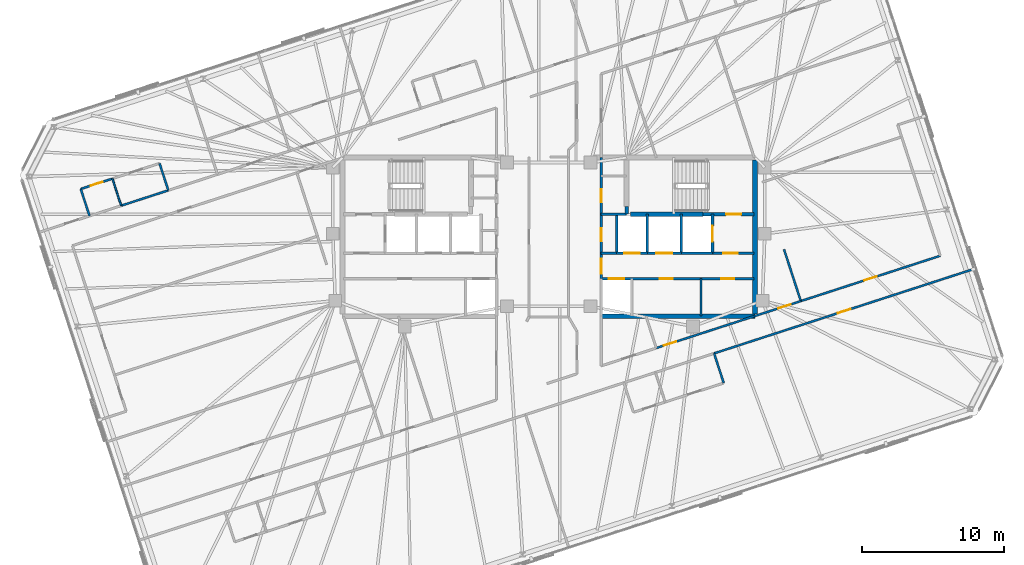
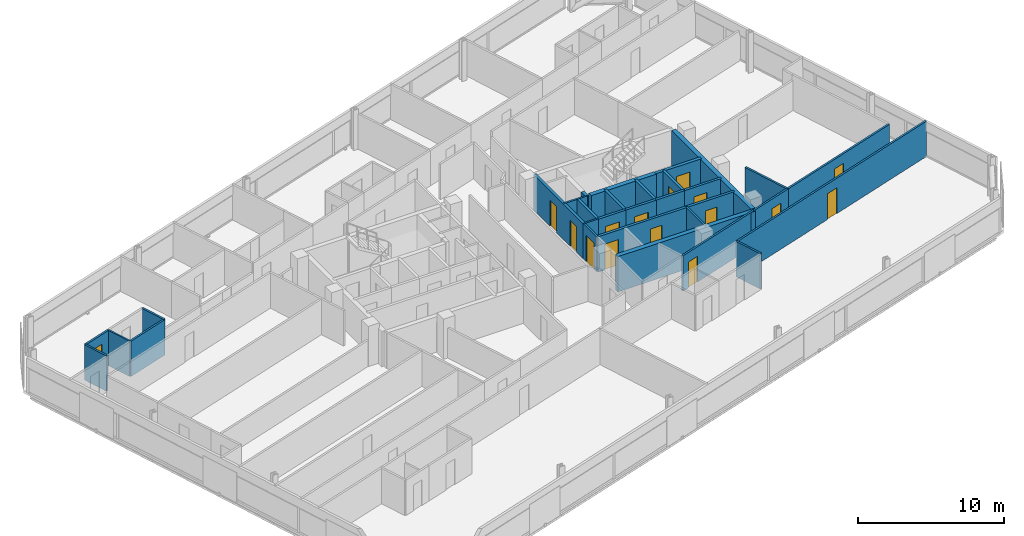
# One storey, part 15 of 19: 30 walls, 16 doors, 16 openings.
"""IFC4 building model written with IfcOpenShell, lengths in metres."""

from ifc_helpers import new_model, si_unit, direction, frame, frame_2d, origin, place, context, subcontext, project, spatial, rectangle, extrude, material, layer, layer_set, type_object, element, fill, save


model = new_model("IFC4")

# Units and contexts
model_context = context("Model", 3, precision=1e-05, world=origin(), true_north=direction((0.0, 1.0)))
body_context = subcontext(model_context, "Body", "Model", "MODEL_VIEW")
ifc_project = project(units=[si_unit("LENGTHUNIT", "METRE"), si_unit("AREAUNIT", "SQUARE_METRE"), si_unit("VOLUMEUNIT", "CUBIC_METRE"), si_unit("PLANEANGLEUNIT", "RADIAN"), si_unit("MASSUNIT", "GRAM", prefix="KILO")], contexts=[model_context])

# Site, building, storey
site_placement = place(None, origin())
site = spatial("IfcSite", under=ifc_project, at=site_placement, CompositionType="ELEMENT")
building_placement = place(site_placement, origin())
building = spatial("IfcBuilding", under=site, at=building_placement, Name="Menara Jurai Vektor", CompositionType="ELEMENT")
storey_placement = place(building_placement, frame((0.0, 0.0, 251.10009765625)))
storey = spatial("IfcBuildingStorey", under=building, at=storey_placement, Name="L67", CompositionType="ELEMENT", Elevation=251.10009765625)

# Wall, opening, door
ifc_material_1 = material(Name="Concrete C40/50", Category="concrete")
ifc_layer_1 = layer(ifc_material_1, 0.25)
ifc_layer_set_1 = layer_set([ifc_layer_1], Name="Concrete C40/50")
wall_type_1 = type_object("IfcWallType", Name="INT-WALL-CORE-250", PredefinedType="STANDARD", material=ifc_layer_set_1)
wall_1_placement = place(storey_placement, frame((10.89990234375, 1.60009765625, 0.0), z_axis=(0.0, 0.0, 1.0), x_axis=(1.0, 0.0, 0.0)))
wall_1 = element("IfcWall", 1, at=wall_1_placement, inside=storey, type_object=wall_type_1, Name="Interior Wall IW-250 L67", PredefinedType="STANDARD", context=body_context, shape_type="SweptSolid", body=[
    extrude(rectangle(XDim=3.60009765625, YDim=0.25, at=frame_2d((1.800048828125, 0.0))), origin(), (0.0, 0.0, 1.0), 2.949951171875),
])
opening_1_placement = place(wall_1_placement, frame((1.6201171875, 0.0, 0.0)))
opening_1 = element("IfcOpeningElement", 2, at=opening_1_placement, cuts=wall_1, Name="Opening D-L67-ST2", PredefinedType="OPENING", context=body_context, shape_type="SweptSolid", body=[
    extrude(rectangle(XDim=1.050048828125, YDim=2.14990234375, at=frame_2d((0.52490234375, 1.074951171875))), frame((0.0, 0.135009765625, 0.0), z_axis=(0.0, -1.0, 0.0), x_axis=(1.0, 0.0, 0.0)), (0.0, 0.0, 1.0), 0.27001953125),
])
ifc_material_2 = material(Name="Fire-Rated Steel Door", Category="steel")
door_type_1 = type_object("IfcDoorType", Name="DR-STAIR-1050", OperationType="NOTDEFINED", PredefinedType="DOOR", material=ifc_material_2)
door_1_placement = place(opening_1_placement, origin())
door_1 = element("IfcDoor", 3, at=door_1_placement, inside=storey, type_object=door_type_1, Name="Exit Stair ST2 Door L67", OperationType="SINGLE_SWING_LEFT", OverallHeight=2.14990234375, OverallWidth=1.050048828125, PredefinedType="DOOR", context=body_context, shape_type="SweptSolid", body=[
    extrude(rectangle(XDim=1.050048828125, YDim=2.14990234375, at=frame_2d((0.52490234375, 1.074951171875))), frame((0.0, 0.02490234375, 0.0), z_axis=(0.0, -1.0, 0.0), x_axis=(1.0, 0.0, 0.0)), (0.0, 0.0, 1.0), 0.050048828125),
])
fill(opening_1, door_1)

# Wall
wall_2_placement = place(storey_placement, frame((5.5, 1.60009765625, 0.0), z_axis=(0.0, 0.0, 1.0), x_axis=(0.0, 1.0, 0.0)))
element("IfcWall", 4, at=wall_2_placement, inside=storey, type_object=wall_type_1, Name="Interior Wall IW-250 L67", PredefinedType="STANDARD", context=body_context, shape_type="SweptSolid", body=[
    extrude(rectangle(XDim=0.5498046875, YDim=0.25, at=frame_2d((0.27490234375, 0.0))), origin(), (0.0, 0.0, 1.0), 2.949951171875),
])

# Wall, opening, door
wall_3_placement = place(storey_placement, frame((11.550048828125, -1.14990234375, 0.0), z_axis=(0.0, 0.0, 1.0), x_axis=(0.0, 1.0, 0.0)))
wall_3 = element("IfcWall", 5, at=wall_3_placement, inside=storey, type_object=wall_type_1, Name="Interior Wall IW-250 L67", PredefinedType="STANDARD", context=body_context, shape_type="SweptSolid", body=[
    extrude(rectangle(XDim=2.75, YDim=0.199951171875, at=frame_2d((1.375, 0.0))), origin(), (0.0, 0.0, 1.0), 2.949951171875),
])
opening_2_placement = place(wall_3_placement, frame((0.824951171875, 0.0, 0.0)))
opening_2 = element("IfcOpeningElement", 6, at=opening_2_placement, cuts=wall_3, Name="Opening LD-L67-FL2", PredefinedType="OPENING", context=body_context, shape_type="SweptSolid", body=[
    extrude(rectangle(XDim=1.10009765625, YDim=2.14990234375, at=frame_2d((0.550048828125, 1.074951171875))), frame((0.0, 0.10986328125, 0.0), z_axis=(0.0, -1.0, 0.0), x_axis=(1.0, 0.0, 0.0)), (0.0, 0.0, 1.0), 0.219970703125),
])
ifc_material_3 = material(Name="Stainless Steel Sliding Lift Landing Door", Category="steel")
door_type_2 = type_object("IfcDoorType", Name="DR-LIFT-FIRE-1100", OperationType="NOTDEFINED", PredefinedType="DOOR", material=ifc_material_3)
door_2_placement = place(opening_2_placement, origin())
door_2 = element("IfcDoor", 7, at=door_2_placement, inside=storey, type_object=door_type_2, Name="Lift Landing Door FL2 L67", OperationType="SLIDING_TO_RIGHT", OverallHeight=2.14990234375, OverallWidth=1.10009765625, PredefinedType="DOOR", context=body_context, shape_type="SweptSolid", body=[
    extrude(rectangle(XDim=1.10009765625, YDim=2.14990234375, at=frame_2d((0.550048828125, 1.074951171875))), frame((0.0, 0.02490234375, 0.0), z_axis=(0.0, -1.0, 0.0), x_axis=(1.0, 0.0, 0.0)), (0.0, 0.0, 1.0), 0.050048828125),
])
fill(opening_2, door_2)

# Wall
wall_4_placement = place(storey_placement, frame((9.35009765625, -1.14990234375, 0.0), z_axis=(0.0, 0.0, 1.0), x_axis=(0.0, 1.0, 0.0)))
element("IfcWall", 8, at=wall_4_placement, inside=storey, type_object=wall_type_1, Name="Interior Wall IW-250 L67", PredefinedType="STANDARD", context=body_context, shape_type="SweptSolid", body=[
    extrude(rectangle(XDim=2.75, YDim=0.199951171875, at=frame_2d((1.375, 0.0))), origin(), (0.0, 0.0, 1.0), 2.949951171875),
])

# Wall, opening, door
wall_5_placement = place(storey_placement, frame((11.550048828125, -1.14990234375, 0.0), z_axis=(0.0, 0.0, 1.0), x_axis=(1.0, 0.0, 0.0)))
wall_5 = element("IfcWall", 9, at=wall_5_placement, inside=storey, type_object=wall_type_1, Name="Interior Wall IW-250 L67", PredefinedType="STANDARD", context=body_context, shape_type="SweptSolid", body=[
    extrude(rectangle(XDim=2.949951171875, YDim=0.199951171875, at=frame_2d((1.47509765625, 0.0))), origin(), (0.0, 0.0, 1.0), 2.949951171875),
])
opening_3_placement = place(wall_5_placement, frame((0.75, 0.0, 0.0)))
opening_3 = element("IfcOpeningElement", 10, at=opening_3_placement, cuts=wall_5, Name="Opening D-L67-FFE", PredefinedType="OPENING", context=body_context, shape_type="SweptSolid", body=[
    extrude(rectangle(XDim=1.050048828125, YDim=2.179931640625, at=frame_2d((0.52490234375, 1.08984375))), frame((0.0, 0.10986328125, 0.0), z_axis=(0.0, -1.0, 0.0), x_axis=(1.0, 0.0, 0.0)), (0.0, 0.0, 1.0), 0.219970703125),
])
ifc_material_4 = material(Name="Fire-Rated Timber Door", Category="wood")
door_type_3 = type_object("IfcDoorType", Name="DR-LOBBY-1050", OperationType="NOTDEFINED", PredefinedType="DOOR", material=ifc_material_4)
door_3_placement = place(opening_3_placement, origin())
door_3 = element("IfcDoor", 11, at=door_3_placement, inside=storey, type_object=door_type_3, Name="Fire Lift Lobby Door E L67", OperationType="SINGLE_SWING_LEFT", OverallHeight=2.179931640625, OverallWidth=1.050048828125, PredefinedType="DOOR", context=body_context, shape_type="SweptSolid", body=[
    extrude(rectangle(XDim=1.050048828125, YDim=2.179931640625, at=frame_2d((0.52490234375, 1.08984375))), frame((0.0, 0.02490234375, 0.0), z_axis=(0.0, -1.0, 0.0), x_axis=(1.0, 0.0, 0.0)), (0.0, 0.0, 1.0), 0.050048828125),
])
fill(opening_3, door_3)

# Wall
wall_6_placement = place(storey_placement, frame((9.35009765625, -1.14990234375, 0.0), z_axis=(0.0, 0.0, 1.0), x_axis=(1.0, 0.0, 0.0)))
element("IfcWall", 12, at=wall_6_placement, inside=storey, type_object=wall_type_1, Name="Interior Wall IW-250 L67", PredefinedType="STANDARD", context=body_context, shape_type="SweptSolid", body=[
    extrude(rectangle(XDim=2.199951171875, YDim=0.199951171875, at=frame_2d((1.10009765625, 0.0))), origin(), (0.0, 0.0, 1.0), 2.949951171875),
])

# Wall, opening, door
ifc_material_5 = material(Name="Gypsum Fireboard Partition", Category="gypsum")
ifc_layer_2 = layer(ifc_material_5, 0.14990234375)
ifc_layer_set_2 = layer_set([ifc_layer_2], Name="Gypsum Fireboard Partition")
wall_type_2 = type_object("IfcWallType", Name="INT-WALL-CORR-150", PredefinedType="PARTITIONING", material=ifc_layer_set_2)
wall_7_placement = place(storey_placement, frame((3.699951171875, -2.949951171875, 0.0), z_axis=(0.0, 0.0, 1.0), x_axis=(0.0, 1.0, 0.0)))
wall_7 = element("IfcWall", 13, at=wall_7_placement, inside=storey, type_object=wall_type_2, Name="Interior Wall IW-150 L67", PredefinedType="PARTITIONING", context=body_context, shape_type="SweptSolid", body=[
    extrude(rectangle(XDim=1.800048828125, YDim=0.14990234375, at=frame_2d((0.89990234375, 0.0))), origin(), (0.0, 0.0, 1.0), 2.949951171875),
])
opening_4_placement = place(wall_7_placement, frame((0.35009765625, 0.0, 0.0)))
opening_4 = element("IfcOpeningElement", 14, at=opening_4_placement, cuts=wall_7, Name="Opening D-L67-LLE", PredefinedType="OPENING", context=body_context, shape_type="SweptSolid", body=[
    extrude(rectangle(XDim=1.050048828125, YDim=2.179931640625, at=frame_2d((0.52490234375, 1.08984375))), frame((0.0, 0.0849609375, 0.0), z_axis=(0.0, -1.0, 0.0), x_axis=(1.0, 0.0, 0.0)), (0.0, 0.0, 1.0), 0.169921875),
])
door_4_placement = place(opening_4_placement, frame((1.050048828125, 0.0, 0.0), z_axis=(0.0, 0.0, 1.0), x_axis=(-1.0, 0.0, 0.0)))
door_4 = element("IfcDoor", 15, at=door_4_placement, inside=storey, type_object=door_type_3, Name="Lift Lobby Corridor Door E L67", OperationType="SINGLE_SWING_RIGHT", OverallHeight=2.179931640625, OverallWidth=1.050048828125, PredefinedType="DOOR", context=body_context, shape_type="SweptSolid", body=[
    extrude(rectangle(XDim=1.050048828125, YDim=2.179931640625, at=frame_2d((0.52490234375, 1.08984375))), frame((0.0, 0.02490234375, 0.0), z_axis=(0.0, -1.0, 0.0), x_axis=(1.0, 0.0, 0.0)), (0.0, 0.0, 1.0), 0.050048828125),
])
fill(opening_4, door_4)

# Walls
wall_8_placement = place(storey_placement, frame((3.699951171875, -1.14990234375, 0.0), z_axis=(0.0, 0.0, 1.0), x_axis=(1.0, 0.0, 0.0)))
element("IfcWall", 16, at=wall_8_placement, inside=storey, type_object=wall_type_2, Name="Interior Wall IW-150 L67", PredefinedType="PARTITIONING", context=body_context, shape_type="SweptSolid", body=[
    extrude(rectangle(XDim=1.090087890625, YDim=0.14990234375, at=frame_2d((0.544921875, 0.0))), origin(), (0.0, 0.0, 1.0), 2.949951171875),
])
wall_9_placement = place(storey_placement, frame((10.739990234375, -5.60009765625, 0.0), z_axis=(0.0, 0.0, 1.0), x_axis=(0.0, 1.0, 0.0)))
element("IfcWall", 17, at=wall_9_placement, inside=storey, type_object=wall_type_2, Name="Interior Wall IW-150 L67", PredefinedType="PARTITIONING", context=body_context, shape_type="SweptSolid", body=[
    extrude(rectangle(XDim=2.650146484375, YDim=0.14990234375, at=frame_2d((1.3251953125, 0.0))), origin(), (0.0, 0.0, 1.0), 2.949951171875),
])
wall_10_placement = place(storey_placement, frame((3.699951171875, 1.60009765625, 0.0), z_axis=(0.0, 0.0, 1.0), x_axis=(1.0, 0.0, 0.0)))
element("IfcWall", 18, at=wall_10_placement, inside=storey, type_object=wall_type_2, Name="Interior Wall IW-150 L67", PredefinedType="PARTITIONING", context=body_context, shape_type="SweptSolid", body=[
    extrude(rectangle(XDim=1.800048828125, YDim=0.14990234375, at=frame_2d((0.89990234375, 0.0))), origin(), (0.0, 0.0, 1.0), 2.949951171875),
])
wall_11_placement = place(storey_placement, frame((-30.191650390625, 2.205322265625, 0.0), z_axis=(0.0, 0.0, 1.0), x_axis=(0.951063814176, 0.308994532905, 0.0)))
element("IfcWall", 19, at=wall_11_placement, inside=storey, type_object=wall_type_2, Name="Interior Wall IW-150 L67", PredefinedType="PARTITIONING", context=body_context, shape_type="SweptSolid", body=[
    extrude(rectangle(XDim=3.497802734375, YDim=0.14990234375, at=frame_2d((1.7490234375, 0.0))), origin(), (0.0, 0.0, 1.0), 2.949951171875),
])

# Wall, opening, door
wall_12_placement = place(storey_placement, frame((11.668701171875, -8.223388671875, 0.0), z_axis=(0.0, 0.0, 1.0), x_axis=(0.951057967787, 0.309012527106, 0.0)))
wall_12 = element("IfcWall", 20, at=wall_12_placement, inside=storey, type_object=wall_type_2, Name="Interior Wall IW-150 L67", PredefinedType="PARTITIONING", context=body_context, shape_type="SweptSolid", body=[
    extrude(rectangle(XDim=19.291015625, YDim=0.14990234375, at=frame_2d((9.6455078125, 0.0))), origin(), (0.0, 0.0, 1.0), 2.949951171875),
])
opening_5_placement = place(wall_12_placement, frame((9.17041015625, 0.0, 0.0)))
opening_5 = element("IfcOpeningElement", 21, at=opening_5_placement, cuts=wall_12, Name="Opening D67-22", PredefinedType="OPENING", context=body_context, shape_type="SweptSolid", body=[
    extrude(rectangle(XDim=0.949951171875, YDim=2.14990234375, at=frame_2d((0.47509765625, 1.074951171875))), frame((0.0, 0.0849609375, 0.0), z_axis=(0.0, -1.0, 0.0), x_axis=(1.0, 0.0, 0.0)), (0.0, 0.0, 1.0), 0.169921875),
])
ifc_material_6 = material(Name="Solid Core Timber Fire Door", Category="wood")
door_type_4 = type_object("IfcDoorType", Name="DR-ENTRY-950", OperationType="NOTDEFINED", PredefinedType="DOOR", material=ifc_material_6)
door_5_placement = place(opening_5_placement, origin())
door_5 = element("IfcDoor", 22, at=door_5_placement, inside=storey, type_object=door_type_4, Name="Interior Door D67-22", OperationType="SINGLE_SWING_RIGHT", OverallHeight=2.14990234375, OverallWidth=0.949951171875, PredefinedType="DOOR", context=body_context, shape_type="SweptSolid", body=[
    extrude(rectangle(XDim=0.949951171875, YDim=2.14990234375, at=frame_2d((0.47509765625, 1.074951171875))), frame((0.0, 0.02490234375, 0.0), z_axis=(0.0, -1.0, 0.0), x_axis=(1.0, 0.0, 0.0)), (0.0, 0.0, 1.0), 0.050048828125),
])
fill(opening_5, door_5)

wall_13_placement = place(storey_placement, frame((7.58837890625, -7.845947265625, 0.0), z_axis=(0.0, 0.0, 1.0), x_axis=(0.951058013903, 0.309012385174, 0.0)))
wall_13 = element("IfcWall", 23, at=wall_13_placement, inside=storey, type_object=wall_type_2, Name="Interior Wall IW-150 L67", PredefinedType="PARTITIONING", context=body_context, shape_type="SweptSolid", body=[
    extrude(rectangle(XDim=7.26708984375, YDim=0.14990234375, at=frame_2d((3.633544921875, 0.0))), origin(), (0.0, 0.0, 1.0), 2.949951171875),
])
opening_6_placement = place(wall_13_placement, frame((0.557373046875, 0.0, 0.0)))
opening_6 = element("IfcOpeningElement", 24, at=opening_6_placement, cuts=wall_13, Name="Opening D67-33", PredefinedType="OPENING", context=body_context, shape_type="SweptSolid", body=[
    extrude(rectangle(XDim=0.919921875, YDim=2.14990234375, at=frame_2d((0.4599609375, 1.074951171875))), frame((0.0, 0.0849609375, 0.0), z_axis=(0.0, -1.0, 0.0), x_axis=(1.0, 0.0, 0.0)), (0.0, 0.0, 1.0), 0.169921875),
])
door_6_placement = place(opening_6_placement, origin())
door_6 = element("IfcDoor", 25, at=door_6_placement, inside=storey, type_object=door_type_4, Name="Interior Door D67-33", OperationType="SINGLE_SWING_LEFT", OverallHeight=2.14990234375, OverallWidth=0.919921875, PredefinedType="DOOR", context=body_context, shape_type="SweptSolid", body=[
    extrude(rectangle(XDim=0.919921875, YDim=2.14990234375, at=frame_2d((0.4599609375, 1.074951171875))), frame((0.0, 0.02490234375, 0.0), z_axis=(0.0, -1.0, 0.0), x_axis=(1.0, 0.0, 0.0)), (0.0, 0.0, 1.0), 0.050048828125),
])
fill(opening_6, door_6)

wall_14_placement = place(storey_placement, frame((14.499755859375, -5.600341796875, 0.0), z_axis=(0.0, 0.0, 1.0), x_axis=(0.951047546178, 0.309044600193, 0.0)))
wall_14 = element("IfcWall", 26, at=wall_14_placement, inside=storey, type_object=wall_type_2, Name="Interior Wall IW-150 L67", PredefinedType="PARTITIONING", context=body_context, shape_type="SweptSolid", body=[
    extrude(rectangle(XDim=3.4609375, YDim=0.14990234375, at=frame_2d((1.73046875, 0.0))), origin(), (0.0, 0.0, 1.0), 2.949951171875),
])
opening_7_placement = place(wall_14_placement, frame((1.78955078125, 0.0, 0.0)))
opening_7 = element("IfcOpeningElement", 27, at=opening_7_placement, cuts=wall_14, Name="Opening D67-35", PredefinedType="OPENING", context=body_context, shape_type="SweptSolid", body=[
    extrude(rectangle(XDim=0.919921875, YDim=2.14990234375, at=frame_2d((0.4599609375, 1.074951171875))), frame((0.0, 0.0849609375, 0.0), z_axis=(0.0, -1.0, 0.0), x_axis=(1.0, 0.0, 0.0)), (0.0, 0.0, 1.0), 0.169921875),
])
door_7_placement = place(opening_7_placement, origin())
door_7 = element("IfcDoor", 28, at=door_7_placement, inside=storey, type_object=door_type_4, Name="Interior Door D67-35", OperationType="SINGLE_SWING_LEFT", OverallHeight=2.14990234375, OverallWidth=0.919921875, PredefinedType="DOOR", context=body_context, shape_type="SweptSolid", body=[
    extrude(rectangle(XDim=0.919921875, YDim=2.14990234375, at=frame_2d((0.4599609375, 1.074951171875))), frame((0.0, 0.02490234375, 0.0), z_axis=(0.0, -1.0, 0.0), x_axis=(1.0, 0.0, 0.0)), (0.0, 0.0, 1.0), 0.050048828125),
])
fill(opening_7, door_7)

wall_15_placement = place(storey_placement, frame((17.791259765625, -4.53076171875, 0.0), z_axis=(0.0, 0.0, 1.0), x_axis=(0.951056769902, 0.309016213852, 0.0)))
wall_15 = element("IfcWall", 29, at=wall_15_placement, inside=storey, type_object=wall_type_2, Name="Interior Wall IW-150 L67", PredefinedType="PARTITIONING", context=body_context, shape_type="SweptSolid", body=[
    extrude(rectangle(XDim=10.35205078125, YDim=0.14990234375, at=frame_2d((5.176025390625, 0.0))), origin(), (0.0, 0.0, 1.0), 2.949951171875),
])
opening_8_placement = place(wall_15_placement, frame((4.716064453125, 0.0, 0.0)))
opening_8 = element("IfcOpeningElement", 30, at=opening_8_placement, cuts=wall_15, Name="Opening D67-47", PredefinedType="OPENING", context=body_context, shape_type="SweptSolid", body=[
    extrude(rectangle(XDim=0.919921875, YDim=2.14990234375, at=frame_2d((0.4599609375, 1.074951171875))), frame((0.0, 0.0849609375, 0.0), z_axis=(0.0, -1.0, 0.0), x_axis=(1.0, 0.0, 0.0)), (0.0, 0.0, 1.0), 0.169921875),
])
door_8_placement = place(opening_8_placement, origin())
door_8 = element("IfcDoor", 31, at=door_8_placement, inside=storey, type_object=door_type_4, Name="Interior Door D67-47", OperationType="SINGLE_SWING_LEFT", OverallHeight=2.14990234375, OverallWidth=0.919921875, PredefinedType="DOOR", context=body_context, shape_type="SweptSolid", body=[
    extrude(rectangle(XDim=0.919921875, YDim=2.14990234375, at=frame_2d((0.4599609375, 1.074951171875))), frame((0.0, 0.02490234375, 0.0), z_axis=(0.0, -1.0, 0.0), x_axis=(1.0, 0.0, 0.0)), (0.0, 0.0, 1.0), 0.050048828125),
])
fill(opening_8, door_8)

# Wall
wall_16_placement = place(storey_placement, frame((-32.4267578125, 1.47900390625, 0.0), z_axis=(0.0, 0.0, 1.0), x_axis=(-0.309022749039, 0.951054646472, 0.0)))
element("IfcWall", 32, at=wall_16_placement, inside=storey, type_object=wall_type_2, Name="Interior Wall IW-150 L67", PredefinedType="PARTITIONING", context=body_context, shape_type="SweptSolid", body=[
    extrude(rectangle(XDim=2.005126953125, YDim=0.14990234375, at=frame_2d((1.00244140625, 0.0))), origin(), (0.0, 0.0, 1.0), 2.949951171875),
])

# Wall, opening, door
wall_17_placement = place(storey_placement, frame((-33.04638671875, 3.385986328125, 0.0), z_axis=(0.0, 0.0, 1.0), x_axis=(0.951045519245, 0.309050837767, 0.0)))
wall_17 = element("IfcWall", 33, at=wall_17_placement, inside=storey, type_object=wall_type_2, Name="Interior Wall IW-150 L67", PredefinedType="PARTITIONING", context=body_context, shape_type="SweptSolid", body=[
    extrude(rectangle(XDim=2.35009765625, YDim=0.14990234375, at=frame_2d((1.175048828125, 0.0))), origin(), (0.0, 0.0, 1.0), 2.949951171875),
])
opening_9_placement = place(wall_17_placement, frame((0.735107421875, 0.0, 0.0)))
opening_9 = element("IfcOpeningElement", 34, at=opening_9_placement, cuts=wall_17, Name="Opening D67-11", PredefinedType="OPENING", context=body_context, shape_type="SweptSolid", body=[
    extrude(rectangle(XDim=0.8798828125, YDim=2.14990234375, at=frame_2d((0.43994140625, 1.074951171875))), frame((0.0, 0.0849609375, 0.0), z_axis=(0.0, -1.0, 0.0), x_axis=(1.0, 0.0, 0.0)), (0.0, 0.0, 1.0), 0.169921875),
])
ifc_material_7 = material(Name="Moisture-Resistant Timber Door", Category="wood")
door_type_5 = type_object("IfcDoorType", Name="DR-BATH-880", OperationType="NOTDEFINED", PredefinedType="DOOR", material=ifc_material_7)
door_9_placement = place(opening_9_placement, origin())
door_9 = element("IfcDoor", 35, at=door_9_placement, inside=storey, type_object=door_type_5, Name="Interior Door D67-11", OperationType="SINGLE_SWING_LEFT", OverallHeight=2.14990234375, OverallWidth=0.8798828125, PredefinedType="DOOR", context=body_context, shape_type="SweptSolid", body=[
    extrude(rectangle(XDim=0.8798828125, YDim=2.14990234375, at=frame_2d((0.43994140625, 1.074951171875))), frame((0.0, 0.02490234375, 0.0), z_axis=(0.0, -1.0, 0.0), x_axis=(1.0, 0.0, 0.0)), (0.0, 0.0, 1.0), 0.050048828125),
])
fill(opening_9, door_9)

# Walls
wall_18_placement = place(storey_placement, frame((-26.864990234375, 3.2861328125, 0.0), z_axis=(0.0, 0.0, 1.0), x_axis=(-0.309022749039, 0.951054646472, 0.0)))
element("IfcWall", 36, at=wall_18_placement, inside=storey, type_object=wall_type_2, Name="Interior Wall IW-150 L67", PredefinedType="PARTITIONING", context=body_context, shape_type="SweptSolid", body=[
    extrude(rectangle(XDim=2.005126953125, YDim=0.14990234375, at=frame_2d((1.00244140625, 0.0))), origin(), (0.0, 0.0, 1.0), 2.949951171875),
])
wall_19_placement = place(storey_placement, frame((12.3486328125, -10.31591796875, 0.0), z_axis=(0.0, 0.0, 1.0), x_axis=(-0.309028364152, 0.951052821956, 0.0)))
element("IfcWall", 37, at=wall_19_placement, inside=storey, type_object=wall_type_2, Name="Interior Wall IW-150 L67", PredefinedType="PARTITIONING", context=body_context, shape_type="SweptSolid", body=[
    extrude(rectangle(XDim=2.2001953125, YDim=0.14990234375, at=frame_2d((1.10009765625, 0.0))), origin(), (0.0, 0.0, 1.0), 2.949951171875),
])
wall_20_placement = place(storey_placement, frame((17.791259765625, -4.53076171875, 0.0), z_axis=(0.0, 0.0, 1.0), x_axis=(-0.309018414265, 0.951056054944, 0.0)))
element("IfcWall", 38, at=wall_20_placement, inside=storey, type_object=wall_type_2, Name="Interior Wall IW-150 L67", PredefinedType="PARTITIONING", context=body_context, shape_type="SweptSolid", body=[
    extrude(rectangle(XDim=3.8349609375, YDim=0.14990234375, at=frame_2d((1.91748046875, 0.0))), origin(), (0.0, 0.0, 1.0), 2.949951171875),
])
ifc_material_8 = material(Name="Gypsum Acoustic Stud Partition", Category="gypsum")
ifc_layer_3 = layer(ifc_material_8, 0.1201171875)
ifc_layer_set_3 = layer_set([ifc_layer_3], Name="Gypsum Acoustic Stud Partition")
wall_type_3 = type_object("IfcWallType", Name="INT-WALL-PART-120", PredefinedType="PARTITIONING", material=ifc_layer_set_3)
wall_21_placement = place(storey_placement, frame((-30.191650390625, 2.205322265625, 0.0), z_axis=(0.0, 0.0, 1.0), x_axis=(-0.309022749039, 0.951054646472, 0.0)))
element("IfcWall", 39, at=wall_21_placement, inside=storey, type_object=wall_type_3, Name="Interior Wall IW-120 L67", PredefinedType="PARTITIONING", context=body_context, shape_type="SweptSolid", body=[
    extrude(rectangle(XDim=2.005126953125, YDim=0.1201171875, at=frame_2d((1.00244140625, 0.0))), origin(), (0.0, 0.0, 1.0), 2.949951171875),
])

# Wall, openings, doors
ifc_layer_4 = layer(ifc_material_1, 0.199951171875)
ifc_layer_set_4 = layer_set([ifc_layer_4], Name="Concrete C40/50")
wall_type_4 = type_object("IfcWallType", Name="INT-WALL-SHAFT-200", PredefinedType="STANDARD", material=ifc_layer_set_4)
wall_22_placement = place(storey_placement, frame((3.699951171875, -1.14990234375, 0.0), z_axis=(0.0, 0.0, 1.0), x_axis=(0.0, 1.0, 0.0)))
wall_22 = element("IfcWall", 40, at=wall_22_placement, inside=storey, type_object=wall_type_4, Name="Interior Wall IW-200 L67", PredefinedType="STANDARD", context=body_context, shape_type="SweptSolid", body=[
    extrude(rectangle(XDim=6.75, YDim=0.199951171875, at=frame_2d((3.375, 0.0))), origin(), (0.0, 0.0, 1.0), 2.949951171875),
])
opening_10_placement = place(wall_22_placement, frame((3.60009765625, 0.0, 0.0)))
opening_10 = element("IfcOpeningElement", 41, at=opening_10_placement, cuts=wall_22, Name="Opening D67-07", PredefinedType="OPENING", context=body_context, shape_type="SweptSolid", body=[
    extrude(rectangle(XDim=0.919921875, YDim=2.14990234375, at=frame_2d((0.4599609375, 1.074951171875))), frame((0.0, 0.10986328125, 0.0), z_axis=(0.0, -1.0, 0.0), x_axis=(1.0, 0.0, 0.0)), (0.0, 0.0, 1.0), 0.219970703125),
])
opening_11_placement = place(wall_22_placement, frame((0.85009765625, 0.0, 0.0)))
opening_11 = element("IfcOpeningElement", 42, at=opening_11_placement, cuts=wall_22, Name="Opening D67-08", PredefinedType="OPENING", context=body_context, shape_type="SweptSolid", body=[
    extrude(rectangle(XDim=0.89990234375, YDim=2.14990234375, at=frame_2d((0.449951171875, 1.074951171875))), frame((0.0, 0.10986328125, 0.0), z_axis=(0.0, -1.0, 0.0), x_axis=(1.0, 0.0, 0.0)), (0.0, 0.0, 1.0), 0.219970703125),
])
door_10_placement = place(opening_10_placement, origin())
door_10 = element("IfcDoor", 43, at=door_10_placement, inside=storey, type_object=door_type_4, Name="Interior Door D67-07", OperationType="SINGLE_SWING_RIGHT", OverallHeight=2.14990234375, OverallWidth=0.919921875, PredefinedType="DOOR", context=body_context, shape_type="SweptSolid", body=[
    extrude(rectangle(XDim=0.919921875, YDim=2.14990234375, at=frame_2d((0.4599609375, 1.074951171875))), frame((0.0, 0.02490234375, 0.0), z_axis=(0.0, -1.0, 0.0), x_axis=(1.0, 0.0, 0.0)), (0.0, 0.0, 1.0), 0.050048828125),
])
fill(opening_10, door_10)
door_11_placement = place(opening_11_placement, origin())
door_11 = element("IfcDoor", 44, at=door_11_placement, inside=storey, type_object=door_type_4, Name="Interior Door D67-08", OperationType="SINGLE_SWING_RIGHT", OverallHeight=2.14990234375, OverallWidth=0.89990234375, PredefinedType="DOOR", context=body_context, shape_type="SweptSolid", body=[
    extrude(rectangle(XDim=0.89990234375, YDim=2.14990234375, at=frame_2d((0.449951171875, 1.074951171875))), frame((0.0, 0.02490234375, 0.0), z_axis=(0.0, -1.0, 0.0), x_axis=(1.0, 0.0, 0.0)), (0.0, 0.0, 1.0), 0.050048828125),
])
fill(opening_11, door_11)

# Wall
wall_23_placement = place(storey_placement, frame((6.949951171875, -1.14990234375, 0.0), z_axis=(0.0, 0.0, 1.0), x_axis=(0.0, 1.0, 0.0)))
element("IfcWall", 45, at=wall_23_placement, inside=storey, type_object=wall_type_4, Name="Interior Wall IW-200 L67", PredefinedType="STANDARD", context=body_context, shape_type="SweptSolid", body=[
    extrude(rectangle(XDim=2.75, YDim=0.199951171875, at=frame_2d((1.375, 0.0))), origin(), (0.0, 0.0, 1.0), 2.949951171875),
])

# Wall, opening, door
wall_24_placement = place(storey_placement, frame((6.949951171875, -1.14990234375, 0.0), z_axis=(0.0, 0.0, 1.0), x_axis=(1.0, 0.0, 0.0)))
wall_24 = element("IfcWall", 46, at=wall_24_placement, inside=storey, type_object=wall_type_4, Name="Interior Wall IW-200 L67", PredefinedType="STANDARD", context=body_context, shape_type="SweptSolid", body=[
    extrude(rectangle(XDim=2.400146484375, YDim=0.199951171875, at=frame_2d((1.2001953125, 0.0))), origin(), (0.0, 0.0, 1.0), 2.949951171875),
])
opening_12_placement = place(wall_24_placement, frame((0.64990234375, 0.0, 0.0)))
opening_12 = element("IfcOpeningElement", 47, at=opening_12_placement, cuts=wall_24, Name="Opening LD-L67-SVL2", PredefinedType="OPENING", context=body_context, shape_type="SweptSolid", body=[
    extrude(rectangle(XDim=1.10009765625, YDim=2.14990234375, at=frame_2d((0.550048828125, 1.074951171875))), frame((0.0, 0.10986328125, 0.0), z_axis=(0.0, -1.0, 0.0), x_axis=(1.0, 0.0, 0.0)), (0.0, 0.0, 1.0), 0.219970703125),
])
ifc_material_9 = material(Name="Anodised Stainless Sliding Lift Landing Door", Category="steel")
door_type_6 = type_object("IfcDoorType", Name="DR-LIFT-PASS-1100", OperationType="NOTDEFINED", PredefinedType="DOOR", material=ifc_material_9)
door_12_placement = place(opening_12_placement, origin())
door_12 = element("IfcDoor", 48, at=door_12_placement, inside=storey, type_object=door_type_6, Name="Lift Landing Door SVL2 L67", OperationType="SLIDING_TO_RIGHT", OverallHeight=2.14990234375, OverallWidth=1.10009765625, PredefinedType="DOOR", context=body_context, shape_type="SweptSolid", body=[
    extrude(rectangle(XDim=1.10009765625, YDim=2.14990234375, at=frame_2d((0.550048828125, 1.074951171875))), frame((0.0, 0.02490234375, 0.0), z_axis=(0.0, -1.0, 0.0), x_axis=(1.0, 0.0, 0.0)), (0.0, 0.0, 1.0), 0.050048828125),
])
fill(opening_12, door_12)

# Wall
wall_25_placement = place(storey_placement, frame((4.7900390625, -1.14990234375, 0.0), z_axis=(0.0, 0.0, 1.0), x_axis=(0.0, 1.0, 0.0)))
element("IfcWall", 49, at=wall_25_placement, inside=storey, type_object=wall_type_4, Name="Interior Wall IW-200 L67", PredefinedType="STANDARD", context=body_context, shape_type="SweptSolid", body=[
    extrude(rectangle(XDim=2.75, YDim=0.199951171875, at=frame_2d((1.375, 0.0))), origin(), (0.0, 0.0, 1.0), 2.949951171875),
])

# Wall, opening, door
wall_26_placement = place(storey_placement, frame((4.7900390625, -1.14990234375, 0.0), z_axis=(0.0, 0.0, 1.0), x_axis=(1.0, 0.0, 0.0)))
wall_26 = element("IfcWall", 50, at=wall_26_placement, inside=storey, type_object=wall_type_4, Name="Interior Wall IW-200 L67", PredefinedType="STANDARD", context=body_context, shape_type="SweptSolid", body=[
    extrude(rectangle(XDim=2.159912109375, YDim=0.199951171875, at=frame_2d((1.080078125, 0.0))), origin(), (0.0, 0.0, 1.0), 2.949951171875),
])
opening_13_placement = place(wall_26_placement, frame((0.530029296875, 0.0, 0.0)))
opening_13 = element("IfcOpeningElement", 51, at=opening_13_placement, cuts=wall_26, Name="Opening LD-L67-PH4", PredefinedType="OPENING", context=body_context, shape_type="SweptSolid", body=[
    extrude(rectangle(XDim=1.10009765625, YDim=2.14990234375, at=frame_2d((0.550048828125, 1.074951171875))), frame((0.0, 0.10986328125, 0.0), z_axis=(0.0, -1.0, 0.0), x_axis=(1.0, 0.0, 0.0)), (0.0, 0.0, 1.0), 0.219970703125),
])
door_13_placement = place(opening_13_placement, origin())
door_13 = element("IfcDoor", 52, at=door_13_placement, inside=storey, type_object=door_type_6, Name="Lift Landing Door PH4 L67", OperationType="SLIDING_TO_LEFT", OverallHeight=2.14990234375, OverallWidth=1.10009765625, PredefinedType="DOOR", context=body_context, shape_type="SweptSolid", body=[
    extrude(rectangle(XDim=1.10009765625, YDim=2.14990234375, at=frame_2d((0.550048828125, 1.074951171875))), frame((0.0, 0.02490234375, 0.0), z_axis=(0.0, -1.0, 0.0), x_axis=(1.0, 0.0, 0.0)), (0.0, 0.0, 1.0), 0.050048828125),
])
fill(opening_13, door_13)

# Wall, openings, doors
wall_27_placement = place(storey_placement, frame((3.699951171875, -2.949951171875, 0.0), z_axis=(0.0, 0.0, 1.0), x_axis=(1.0, 0.0, 0.0)))
wall_27 = element("IfcWall", 53, at=wall_27_placement, inside=storey, type_object=wall_type_4, Name="Interior Wall IW-200 L67", PredefinedType="STANDARD", context=body_context, shape_type="SweptSolid", body=[
    extrude(rectangle(XDim=10.800048828125, YDim=0.199951171875, at=frame_2d((5.39990234375, 0.0))), origin(), (0.0, 0.0, 1.0), 2.949951171875),
])
opening_14_placement = place(wall_27_placement, frame((0.530029296875, 0.0, 0.0)))
opening_14 = element("IfcOpeningElement", 54, at=opening_14_placement, cuts=wall_27, Name="Opening LD-L67-PH3", PredefinedType="OPENING", context=body_context, shape_type="SweptSolid", body=[
    extrude(rectangle(XDim=1.10009765625, YDim=2.14990234375, at=frame_2d((0.550048828125, 1.074951171875))), frame((0.0, 0.10986328125, 0.0), z_axis=(0.0, -1.0, 0.0), x_axis=(1.0, 0.0, 0.0)), (0.0, 0.0, 1.0), 0.219970703125),
])
opening_15_placement = place(wall_27_placement, frame((4.139892578125, 0.0, 0.0)))
opening_15 = element("IfcOpeningElement", 55, at=opening_15_placement, cuts=wall_27, Name="Opening D67-05", PredefinedType="OPENING", context=body_context, shape_type="SweptSolid", body=[
    extrude(rectangle(XDim=0.919921875, YDim=2.14990234375, at=frame_2d((0.4599609375, 1.074951171875))), frame((0.0, 0.10986328125, 0.0), z_axis=(0.0, -1.0, 0.0), x_axis=(1.0, 0.0, 0.0)), (0.0, 0.0, 1.0), 0.219970703125),
])
opening_16_placement = place(wall_27_placement, frame((8.4599609375, 0.0, 0.0)))
opening_16 = element("IfcOpeningElement", 56, at=opening_16_placement, cuts=wall_27, Name="Opening D67-06", PredefinedType="OPENING", context=body_context, shape_type="SweptSolid", body=[
    extrude(rectangle(XDim=0.919921875, YDim=2.14990234375, at=frame_2d((0.4599609375, 1.074951171875))), frame((0.0, 0.10986328125, 0.0), z_axis=(0.0, -1.0, 0.0), x_axis=(1.0, 0.0, 0.0)), (0.0, 0.0, 1.0), 0.219970703125),
])
door_14_placement = place(opening_15_placement, origin())
door_14 = element("IfcDoor", 57, at=door_14_placement, inside=storey, type_object=door_type_4, Name="Interior Door D67-05", OperationType="SINGLE_SWING_LEFT", OverallHeight=2.14990234375, OverallWidth=0.919921875, PredefinedType="DOOR", context=body_context, shape_type="SweptSolid", body=[
    extrude(rectangle(XDim=0.919921875, YDim=2.14990234375, at=frame_2d((0.4599609375, 1.074951171875))), frame((0.0, 0.02490234375, 0.0), z_axis=(0.0, -1.0, 0.0), x_axis=(1.0, 0.0, 0.0)), (0.0, 0.0, 1.0), 0.050048828125),
])
fill(opening_15, door_14)
door_15_placement = place(opening_16_placement, origin())
door_15 = element("IfcDoor", 58, at=door_15_placement, inside=storey, type_object=door_type_4, Name="Interior Door D67-06", OperationType="SINGLE_SWING_RIGHT", OverallHeight=2.14990234375, OverallWidth=0.919921875, PredefinedType="DOOR", context=body_context, shape_type="SweptSolid", body=[
    extrude(rectangle(XDim=0.919921875, YDim=2.14990234375, at=frame_2d((0.4599609375, 1.074951171875))), frame((0.0, 0.02490234375, 0.0), z_axis=(0.0, -1.0, 0.0), x_axis=(1.0, 0.0, 0.0)), (0.0, 0.0, 1.0), 0.050048828125),
])
fill(opening_16, door_15)
door_16_placement = place(opening_14_placement, origin())
door_16 = element("IfcDoor", 59, at=door_16_placement, inside=storey, type_object=door_type_6, Name="Lift Landing Door PH3 L67", OperationType="SLIDING_TO_RIGHT", OverallHeight=2.14990234375, OverallWidth=1.10009765625, PredefinedType="DOOR", context=body_context, shape_type="SweptSolid", body=[
    extrude(rectangle(XDim=1.10009765625, YDim=2.14990234375, at=frame_2d((0.550048828125, 1.074951171875))), frame((0.0, 0.02490234375, 0.0), z_axis=(0.0, -1.0, 0.0), x_axis=(1.0, 0.0, 0.0)), (0.0, 0.0, 1.0), 0.050048828125),
])
fill(opening_14, door_16)

# Walls
ifc_material_10 = material(Name="Concrete C50/60", Category="concrete")
ifc_layer_5 = layer(ifc_material_10, 0.35009765625)
ifc_layer_set_5 = layer_set([ifc_layer_5], Name="Concrete C50/60")
wall_type_5 = type_object("IfcWallType", Name="STR-WALL-CORE350", PredefinedType="SHEAR", material=ifc_layer_set_5)
wall_28_placement = place(storey_placement, frame((3.699951171875, -5.60009765625, 0.0), z_axis=(0.0, 0.0, 1.0), x_axis=(1.0, 0.0, 0.0)))
element("IfcWall", 60, at=wall_28_placement, inside=storey, type_object=wall_type_5, Name="Core Shear Wall CW-E-S L67", PredefinedType="SHEAR", context=body_context, shape_type="SweptSolid", body=[
    extrude(rectangle(XDim=10.860107421875, YDim=0.35009765625, at=frame_2d((5.43017578125, 0.0))), origin(), (0.0, 0.0, 1.0), 2.949951171875),
])
wall_29_placement = place(storey_placement, frame((14.56005859375, -5.425048828125, 0.0), z_axis=(0.0, 0.0, 1.0), x_axis=(0.0, 1.0, 0.0)))
element("IfcWall", 61, at=wall_29_placement, inside=storey, type_object=wall_type_5, Name="Core Shear Wall CW-E-E L67", PredefinedType="SHEAR", context=body_context, shape_type="SweptSolid", body=[
    extrude(rectangle(XDim=10.85009765625, YDim=0.35009765625, at=frame_2d((5.425048828125, 0.0))), origin(), (0.0, 0.0, 1.0), 2.949951171875),
])
wall_30_placement = place(storey_placement, frame((5.75, 1.60009765625, 0.0), z_axis=(0.0, 0.0, 1.0), x_axis=(1.0, 0.0, 0.0)))
element("IfcWall", 62, at=wall_30_placement, inside=storey, type_object=wall_type_5, Name="Core Shear Wall CW-E-STS L67", PredefinedType="SHEAR", context=body_context, shape_type="SweptSolid", body=[
    extrude(rectangle(XDim=5.14990234375, YDim=0.35009765625, at=frame_2d((2.574951171875, 0.0))), origin(), (0.0, 0.0, 1.0), 2.949951171875),
])

save(model, "model.ifc")
